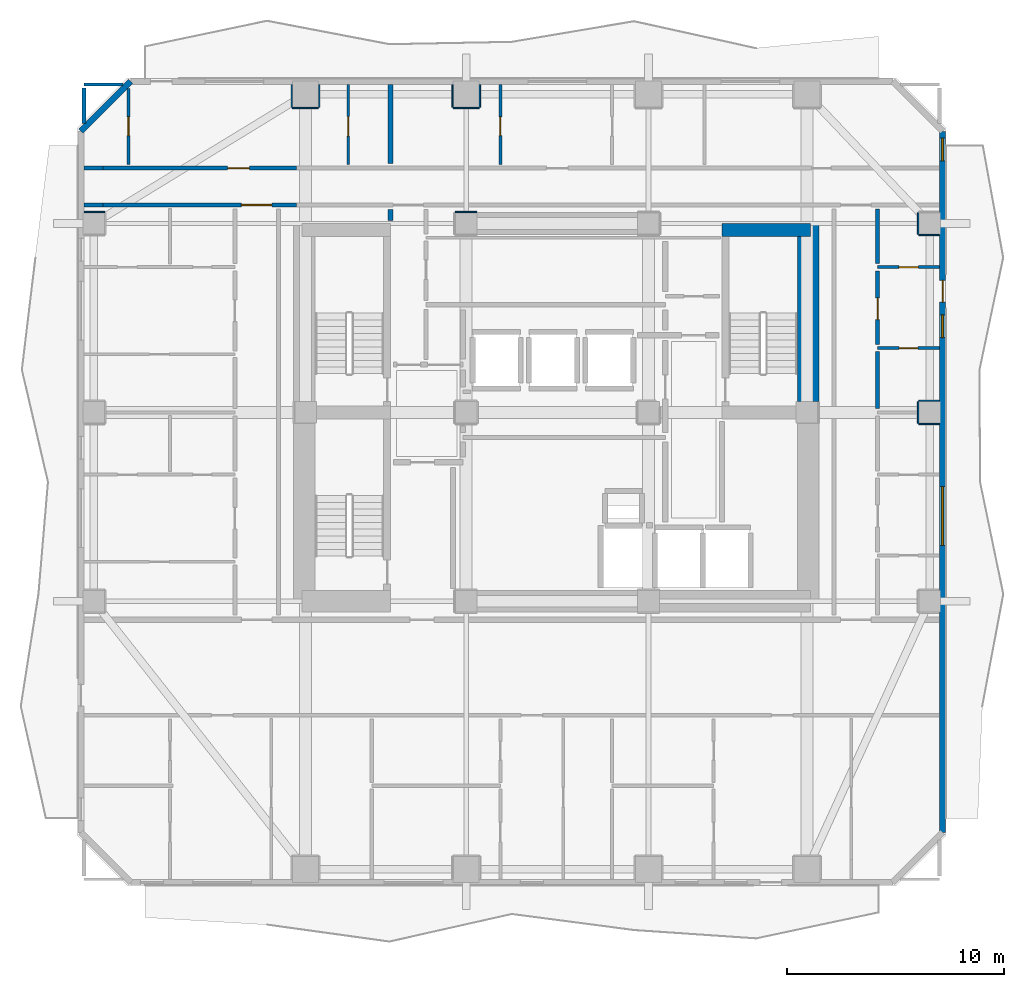
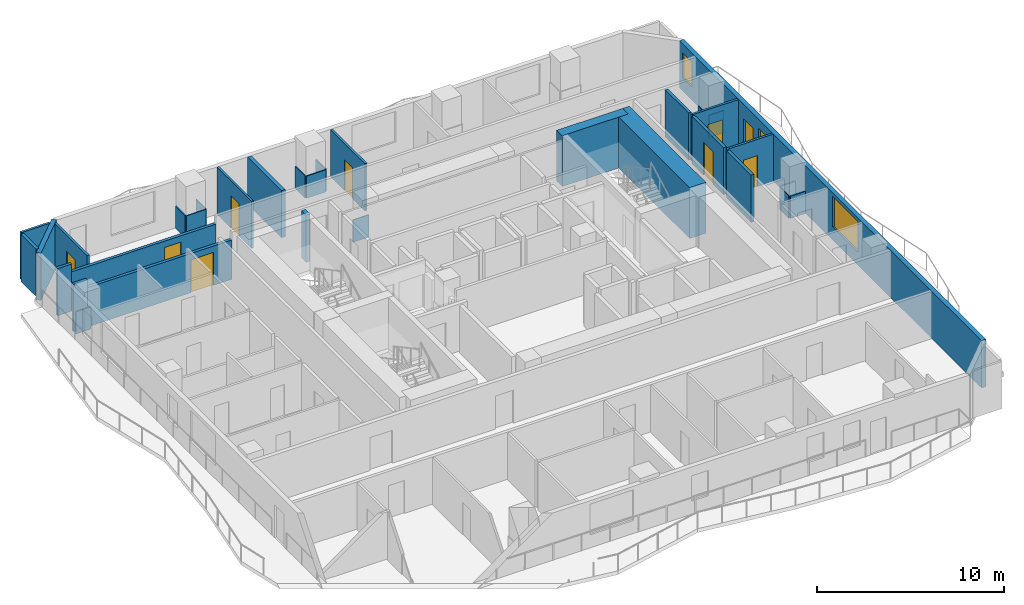
# One storey, part 6 of 11: 33 walls, 9 doors, 3 windows, 12 openings.
"""IFC4 building model written with IfcOpenShell, lengths in metres."""

from ifc_helpers import new_model, si_unit, direction, frame, frame_2d, origin, place, context, subcontext, project, spatial, rectangle, extrude, material, layer, layer_set, type_object, element, fill, save


model = new_model("IFC4")

# Units and contexts
model_context = context("Model", 3, precision=1e-05, world=origin(), true_north=direction((0.0, 1.0)))
body_context = subcontext(model_context, "Body", "Model", "MODEL_VIEW")
ifc_project = project(units=[si_unit("LENGTHUNIT", "METRE"), si_unit("AREAUNIT", "SQUARE_METRE"), si_unit("VOLUMEUNIT", "CUBIC_METRE"), si_unit("PLANEANGLEUNIT", "RADIAN"), si_unit("MASSUNIT", "GRAM", prefix="KILO")], contexts=[model_context])

# Site, building, storey
site_placement = place(None, origin())
site = spatial("IfcSite", under=ifc_project, at=site_placement, CompositionType="ELEMENT")
building_placement = place(site_placement, origin())
building = spatial("IfcBuilding", under=site, at=building_placement, Name="Solanera Arch Residences", CompositionType="ELEMENT")
storey_placement = place(building_placement, frame((0.0, 0.0, 109.39990234375)))
storey = spatial("IfcBuildingStorey", under=building, at=storey_placement, Name="L31", CompositionType="ELEMENT", Elevation=109.39990234375)

# Walls
ifc_material_1 = material(Name="Fire-Rated Gypsum Stud Partition", Category="gypsum")
ifc_layer_1 = layer(ifc_material_1, 0.06005859375)
ifc_layer_set_1 = layer_set([ifc_layer_1], Name="Fire-Rated Gypsum Stud Partition")
wall_type_1 = type_object("IfcWallType", Name="Column Acoustic Furring Wall 60", PredefinedType="PARTITIONING", material=ifc_layer_set_1)
wall_1_placement = place(storey_placement, frame((20.300048828125, 39.931884765625, 0.0), z_axis=(0.0, 0.0, 1.0), x_axis=(1.0, 0.0, 0.0)))
element("IfcWall", 1, at=wall_1_placement, inside=storey, type_object=wall_type_1, Name="L31 Column Furring 3N", PredefinedType="PARTITIONING", context=body_context, shape_type="SweptSolid", body=[
    extrude(rectangle(XDim=1.0, YDim=0.06005859375, at=frame_2d((0.5, 0.0))), origin(), (0.0, 0.0, 1.0), 1.4501953125),
])
wall_2_placement = place(storey_placement, frame((12.800048828125, 44.718017578125, 0.0), z_axis=(0.0, 0.0, 1.0), x_axis=(1.0, 0.0, 0.0)))
element("IfcWall", 2, at=wall_2_placement, inside=storey, type_object=wall_type_1, Name="L31 Column Furring 10S", PredefinedType="PARTITIONING", context=body_context, shape_type="SweptSolid", body=[
    extrude(rectangle(XDim=1.199951171875, YDim=0.06005859375, at=frame_2d((0.60009765625, 0.0))), origin(), (0.0, 0.0, 1.0), 1.4501953125),
])
for number, where, z_axis, x_axis, name in (
    (3, (12.76806640625, 44.75, 0.0), (0.0, 0.0, 1.0), (0.0, 1.0, 0.0), "L31 Column Furring 10W"),
    (4, (14.031982421875, 44.75, 0.0), (0.0, 0.0, 1.0), (0.0, 1.0, 0.0), "L31 Column Furring 10E"),
):
    element("IfcWall", number, at=place(storey_placement, frame(where, z_axis=z_axis, x_axis=x_axis)), inside=storey, type_object=wall_type_1, Name=name, PredefinedType="PARTITIONING", context=body_context, shape_type="SweptSolid", body=[
        extrude(rectangle(XDim=1.0400390625, YDim=0.06005859375, at=frame_2d((0.52001953125, 0.0))), origin(), (0.0, 0.0, 1.0), 1.4501953125),
    ])
wall_3_placement = place(storey_placement, frame((20.199951171875, 44.718017578125, 0.0), z_axis=(0.0, 0.0, 1.0), x_axis=(1.0, 0.0, 0.0)))
element("IfcWall", 5, at=wall_3_placement, inside=storey, type_object=wall_type_1, Name="L31 Column Furring 12S", PredefinedType="PARTITIONING", context=body_context, shape_type="SweptSolid", body=[
    extrude(rectangle(XDim=1.199951171875, YDim=0.06005859375, at=frame_2d((0.60009765625, 0.0))), origin(), (0.0, 0.0, 1.0), 1.4501953125),
])
for number, where, z_axis, x_axis, name in (
    (6, (20.16796875, 44.75, 0.0), (0.0, 0.0, 1.0), (0.0, 1.0, 0.0), "L31 Column Furring 12W"),
    (7, (21.431884765625, 44.75, 0.0), (0.0, 0.0, 1.0), (0.0, 1.0, 0.0), "L31 Column Furring 12E"),
):
    element("IfcWall", number, at=place(storey_placement, frame(where, z_axis=z_axis, x_axis=x_axis)), inside=storey, type_object=wall_type_1, Name=name, PredefinedType="PARTITIONING", context=body_context, shape_type="SweptSolid", body=[
        extrude(rectangle(XDim=1.0400390625, YDim=0.06005859375, at=frame_2d((0.52001953125, 0.0))), origin(), (0.0, 0.0, 1.0), 1.4501953125),
    ])
for number, where, z_axis, x_axis, name in (
    (8, (41.64990234375, 30.16796875, 0.0), (0.0, 0.0, 1.0), (1.0, 0.0, 0.0), "L31 Column Furring 20S"),
    (9, (41.64990234375, 31.23193359375, 0.0), (0.0, 0.0, 1.0), (1.0, 0.0, 0.0), "L31 Column Furring 20N"),
):
    element("IfcWall", number, at=place(storey_placement, frame(where, z_axis=z_axis, x_axis=x_axis)), inside=storey, type_object=wall_type_1, Name=name, PredefinedType="PARTITIONING", context=body_context, shape_type="SweptSolid", body=[
        extrude(rectangle(XDim=0.940185546875, YDim=0.06005859375, at=frame_2d((0.47021484375, 0.0))), origin(), (0.0, 0.0, 1.0), 1.4501953125),
    ])
wall_4_placement = place(storey_placement, frame((41.617919921875, 30.199951171875, 0.0), z_axis=(0.0, 0.0, 1.0), x_axis=(0.0, 1.0, 0.0)))
element("IfcWall", 10, at=wall_4_placement, inside=storey, type_object=wall_type_1, Name="L31 Column Furring 20W", PredefinedType="PARTITIONING", context=body_context, shape_type="SweptSolid", body=[
    extrude(rectangle(XDim=1.0, YDim=0.06005859375, at=frame_2d((0.5, 0.0))), origin(), (0.0, 0.0, 1.0), 1.4501953125),
])
wall_5_placement = place(storey_placement, frame((3.2099609375, 39.931884765625, 0.0), z_axis=(0.0, 0.0, 1.0), x_axis=(1.0, 0.0, 0.0)))
element("IfcWall", 11, at=wall_5_placement, inside=storey, type_object=wall_type_1, Name="L31 Column Furring 21N", PredefinedType="PARTITIONING", context=body_context, shape_type="SweptSolid", body=[
    extrude(rectangle(XDim=0.93994140625, YDim=0.06005859375, at=frame_2d((0.469970703125, 0.0))), origin(), (0.0, 0.0, 1.0), 1.4501953125),
])
wall_6_placement = place(storey_placement, frame((41.64990234375, 38.867919921875, 0.0), z_axis=(0.0, 0.0, 1.0), x_axis=(1.0, 0.0, 0.0)))
element("IfcWall", 12, at=wall_6_placement, inside=storey, type_object=wall_type_1, Name="L31 Column Furring 22S", PredefinedType="PARTITIONING", context=body_context, shape_type="SweptSolid", body=[
    extrude(rectangle(XDim=0.940185546875, YDim=0.06005859375, at=frame_2d((0.47021484375, 0.0))), origin(), (0.0, 0.0, 1.0), 1.4501953125),
])
wall_7_placement = place(storey_placement, frame((41.617919921875, 38.89990234375, 0.0), z_axis=(0.0, 0.0, 1.0), x_axis=(0.0, 1.0, 0.0)))
element("IfcWall", 13, at=wall_7_placement, inside=storey, type_object=wall_type_1, Name="L31 Column Furring 22W", PredefinedType="PARTITIONING", context=body_context, shape_type="SweptSolid", body=[
    extrude(rectangle(XDim=1.0, YDim=0.06005859375, at=frame_2d((0.5, 0.0))), origin(), (0.0, 0.0, 1.0), 1.4501953125),
])
ifc_material_2 = material(Name="Concrete C55/67 (f'c = 60 MPa)", Category="concrete")
ifc_layer_2 = layer(ifc_material_2, 1.0)
ifc_layer_set_2 = layer_set([ifc_layer_2], Name="Concrete C55/67 (f'c = 60 MPa)")
wall_type_2 = type_object("IfcWallType", Name="Core Shear Wall CW-1000", PredefinedType="SHEAR", material=ifc_layer_set_2)
wall_8_placement = place(storey_placement, frame((36.56005859375, 31.205078125, 0.0), z_axis=(0.0, 0.0, 1.0), x_axis=(0.0, 1.0, 0.0)))
element("IfcWall", 14, at=wall_8_placement, inside=storey, type_object=wall_type_2, Name="L31 East Core North Shear Wall", PredefinedType="SHEAR", context=body_context, shape_type="SweptSolid", body=[
    extrude(rectangle(XDim=8.19482421875, YDim=1.0, at=frame_2d((4.097412109375, 0.0))), origin(), (0.0, 0.0, 1.0), 3.320068359375),
])
ifc_material_3 = material(Name="Concrete C40/50 (f'c = 45 MPa)", Category="concrete")
ifc_layer_3 = layer(ifc_material_3, 0.60009765625)
ifc_layer_set_3 = layer_set([ifc_layer_3], Name="Concrete C40/50 (f'c = 45 MPa)")
wall_type_3 = type_object("IfcWallType", Name="Core Shear Wall CW-600", PredefinedType="SHEAR", material=ifc_layer_set_3)
wall_9_placement = place(storey_placement, frame((32.580078125, 39.10009765625, 0.0), z_axis=(0.0, 0.0, 1.0), x_axis=(1.0, 0.0, 0.0)))
element("IfcWall", 15, at=wall_9_placement, inside=storey, type_object=wall_type_3, Name="L31 North-East Core Shear Wall", PredefinedType="SHEAR", context=body_context, shape_type="SweptSolid", body=[
    extrude(rectangle(XDim=4.079833984375, YDim=0.60009765625, at=frame_2d((2.0400390625, 0.0))), origin(), (0.0, 0.0, 1.0), 3.320068359375),
])
ifc_material_4 = material(Name="Autoclaved Aerated Concrete Blockwork", Category="masonry")
ifc_layer_4 = layer(ifc_material_4, 0.179931640625)
ifc_layer_set_4 = layer_set([ifc_layer_4], Name="Autoclaved Aerated Concrete Blockwork")
wall_type_4 = type_object("IfcWallType", Name="Corridor Fire Partition 180", PredefinedType="PARTITIONING", material=ifc_layer_set_4)
wall_10_placement = place(storey_placement, frame((3.20703125, 40.25, 0.0), z_axis=(0.0, 0.0, 1.0), x_axis=(1.0, 0.0, 0.0)))
element("IfcWall", 16, at=wall_10_placement, inside=storey, type_object=wall_type_4, Name="L31 Interior Partition H11 1", PredefinedType="PARTITIONING", context=body_context, shape_type="SweptSolid", body=[
    extrude(rectangle(XDim=0.864013671875, YDim=0.179931640625, at=frame_2d((0.43212890625, 0.0))), origin(), (0.0, 0.0, 1.0), 3.080078125),
])

# Wall, opening, door
wall_11_placement = place(storey_placement, frame((4.071044921875, 40.25, 0.0), z_axis=(0.0, 0.0, 1.0), x_axis=(1.0, 0.0, 0.0)))
wall_11 = element("IfcWall", 17, at=wall_11_placement, inside=storey, type_object=wall_type_4, Name="L31 Interior Partition H11 2", PredefinedType="PARTITIONING", context=body_context, shape_type="SweptSolid", body=[
    extrude(rectangle(XDim=8.907958984375, YDim=0.179931640625, at=frame_2d((4.4541015625, 0.0))), origin(), (0.0, 0.0, 1.0), 2.565185546875),
])
opening_1_placement = place(wall_11_placement, frame((6.37890625, 0.0, 0.0)))
opening_1 = element("IfcOpeningElement", 18, at=opening_1_placement, cuts=wall_11, Name="Opening DF-03", PredefinedType="OPENING", context=body_context, shape_type="SweptSolid", body=[
    extrude(rectangle(XDim=1.39990234375, YDim=2.14990234375, at=frame_2d((0.699951171875, 1.074951171875))), frame((0.0, 0.10009765625, 0.0), z_axis=(0.0, -1.0, 0.0), x_axis=(1.0, 0.0, 0.0)), (0.0, 0.0, 1.0), 0.1999),
])
ifc_material_5 = material(Name="Fire-Rated Architectural Hardwood", Category="wood")
door_type_1 = type_object("IfcDoorType", Name="Corridor Smoke Door DF-03", OperationType="NOTDEFINED", PredefinedType="DOOR", material=ifc_material_5)
door_1_placement = place(opening_1_placement, origin())
door_1 = element("IfcDoor", 19, at=door_1_placement, inside=storey, type_object=door_type_1, Name="DR-L31-IN-012", OperationType="SINGLE_SWING_RIGHT", OverallHeight=2.14990234375, OverallWidth=1.39990234375, PredefinedType="DOOR", context=body_context, shape_type="SweptSolid", body=[
    extrude(rectangle(XDim=1.39990234375, YDim=2.14990234375, at=frame_2d((0.699951171875, 1.074951171875))), frame((0.0, 0.02490234375, 0.0), z_axis=(0.0, -1.0, 0.0), x_axis=(1.0, 0.0, 0.0)), (0.0, 0.0, 1.0), 0.050048828125),
])
fill(opening_1, door_1)

# Wall
wall_12_placement = place(storey_placement, frame((3.20703125, 41.949951171875, 0.0), z_axis=(0.0, 0.0, 1.0), x_axis=(1.0, 0.0, 0.0)))
element("IfcWall", 20, at=wall_12_placement, inside=storey, type_object=wall_type_4, Name="L31 Interior Partition H12 1", PredefinedType="PARTITIONING", context=body_context, shape_type="SweptSolid", body=[
    extrude(rectangle(XDim=0.864013671875, YDim=0.179931640625, at=frame_2d((0.43212890625, 0.0))), origin(), (0.0, 0.0, 1.0), 3.080078125),
])

# Wall, opening, door
wall_13_placement = place(storey_placement, frame((4.071044921875, 41.949951171875, 0.0), z_axis=(0.0, 0.0, 1.0), x_axis=(1.0, 0.0, 0.0)))
wall_13 = element("IfcWall", 21, at=wall_13_placement, inside=storey, type_object=wall_type_4, Name="L31 Interior Partition H12 2", PredefinedType="PARTITIONING", context=body_context, shape_type="SweptSolid", body=[
    extrude(rectangle(XDim=8.907958984375, YDim=0.179931640625, at=frame_2d((4.4541015625, 0.0))), origin(), (0.0, 0.0, 1.0), 2.565185546875),
])
opening_2_placement = place(wall_13_placement, frame((5.741943359375, 0.0, 0.0)))
opening_2 = element("IfcOpeningElement", 22, at=opening_2_placement, cuts=wall_13, Name="Opening DI-01", PredefinedType="OPENING", context=body_context, shape_type="SweptSolid", body=[
    extrude(rectangle(XDim=1.0, YDim=2.14990234375, at=frame_2d((0.5, 1.074951171875))), frame((0.0, 0.10009765625, 0.0), z_axis=(0.0, -1.0, 0.0), x_axis=(1.0, 0.0, 0.0)), (0.0, 0.0, 1.0), 0.1999),
])
ifc_material_6 = material(Name="Fire-Rated Architectural Hardwood", Category="wood")
door_type_2 = type_object("IfcDoorType", Name="Unit Entrance Fire Door DI-01", OperationType="NOTDEFINED", PredefinedType="DOOR", material=ifc_material_6)
door_2_placement = place(opening_2_placement, origin())
door_2 = element("IfcDoor", 23, at=door_2_placement, inside=storey, type_object=door_type_2, Name="DR-L31-IN-029", OperationType="SINGLE_SWING_LEFT", OverallHeight=2.14990234375, OverallWidth=1.0, PredefinedType="DOOR", context=body_context, shape_type="SweptSolid", body=[
    extrude(rectangle(XDim=1.0, YDim=2.14990234375, at=frame_2d((0.5, 1.074951171875))), frame((0.0, 0.02490234375, 0.0), z_axis=(0.0, -1.0, 0.0), x_axis=(1.0, 0.0, 0.0)), (0.0, 0.0, 1.0), 0.050048828125),
])
fill(opening_2, door_2)

# Walls
wall_14_placement = place(storey_placement, frame((3.199951171875, 44.0048828125, 0.0), z_axis=(0.0, 0.0, 1.0), x_axis=(0.0, 1.0, 0.0)))
element("IfcWall", 24, at=wall_14_placement, inside=storey, type_object=wall_type_4, Name="L31 Interior Partition V8 2", PredefinedType="PARTITIONING", context=body_context, shape_type="SweptSolid", body=[
    extrude(rectangle(XDim=1.627197265625, YDim=0.179931640625, at=frame_2d((0.8134765625, 0.0))), origin(), (0.0, 0.0, 1.0), 3.080078125),
])
wall_15_placement = place(storey_placement, frame((39.75, 30.867919921875, 0.0), z_axis=(0.0, 0.0, 1.0), x_axis=(0.0, 1.0, 0.0)))
element("IfcWall", 25, at=wall_15_placement, inside=storey, type_object=wall_type_4, Name="L31 Interior Partition V13 4", PredefinedType="PARTITIONING", context=body_context, shape_type="SweptSolid", body=[
    extrude(rectangle(XDim=2.6259765625, YDim=0.179931640625, at=frame_2d((1.31298828125, 0.0))), origin(), (0.0, 0.0, 1.0), 3.080078125),
])

# Wall, opening, door
wall_16_placement = place(storey_placement, frame((39.75, 33.830078125, 0.0), z_axis=(0.0, 0.0, 1.0), x_axis=(0.0, 1.0, 0.0)))
wall_16 = element("IfcWall", 26, at=wall_16_placement, inside=storey, type_object=wall_type_4, Name="L31 Interior Partition V13 5", PredefinedType="PARTITIONING", context=body_context, shape_type="SweptSolid", body=[
    extrude(rectangle(XDim=3.386962890625, YDim=0.179931640625, at=frame_2d((1.693359375, 0.0))), origin(), (0.0, 0.0, 1.0), 3.080078125),
])
opening_3_placement = place(wall_16_placement, frame((1.14501953125, 0.0, 0.0)))
opening_3 = element("IfcOpeningElement", 27, at=opening_3_placement, cuts=wall_16, Name="Opening DI-01", PredefinedType="OPENING", context=body_context, shape_type="SweptSolid", body=[
    extrude(rectangle(XDim=1.0, YDim=2.14990234375, at=frame_2d((0.5, 1.074951171875))), frame((0.0, 0.10009765625, 0.0), z_axis=(0.0, -1.0, 0.0), x_axis=(1.0, 0.0, 0.0)), (0.0, 0.0, 1.0), 0.1999),
])
door_3_placement = place(opening_3_placement, origin())
door_3 = element("IfcDoor", 28, at=door_3_placement, inside=storey, type_object=door_type_2, Name="DR-L31-IN-047", OperationType="SINGLE_SWING_LEFT", OverallHeight=2.14990234375, OverallWidth=1.0, PredefinedType="DOOR", context=body_context, shape_type="SweptSolid", body=[
    extrude(rectangle(XDim=1.0, YDim=2.14990234375, at=frame_2d((0.5, 1.074951171875))), frame((0.0, 0.02490234375, 0.0), z_axis=(0.0, -1.0, 0.0), x_axis=(1.0, 0.0, 0.0)), (0.0, 0.0, 1.0), 0.050048828125),
])
fill(opening_3, door_3)

# Walls
wall_17_placement = place(storey_placement, frame((39.75, 37.552978515625, 0.0), z_axis=(0.0, 0.0, 1.0), x_axis=(0.0, 1.0, 0.0)))
element("IfcWall", 29, at=wall_17_placement, inside=storey, type_object=wall_type_4, Name="L31 Interior Partition V13 6", PredefinedType="PARTITIONING", context=body_context, shape_type="SweptSolid", body=[
    extrude(rectangle(XDim=2.509033203125, YDim=0.179931640625, at=frame_2d((1.25439453125, 0.0))), origin(), (0.0, 0.0, 1.0), 3.080078125),
])
ifc_material_7 = material(Name="Precast Concrete C35/45", Category="concrete")
ifc_layer_5 = layer(ifc_material_7, 0.280029296875)
ifc_layer_set_5 = layer_set([ifc_layer_5], Name="Precast Concrete C35/45")
wall_type_5 = type_object("IfcWallType", Name="Exterior Wall Precast Masonry-Frame 280", PredefinedType="STANDARD", material=ifc_layer_set_5)
wall_18_placement = place(storey_placement, frame((3.054931640625, 43.64501953125, 0.0), z_axis=(0.0, 0.0, 1.0), x_axis=(0.707106781187, 0.707106781187, 0.0)))
element("IfcWall", 30, at=wall_18_placement, inside=storey, type_object=wall_type_5, Name="L31 Tower Exterior Precast Masonry-Frame Wall CH1", PredefinedType="STANDARD", context=body_context, shape_type="SweptSolid", body=[
    extrude(rectangle(XDim=3.252685546875, YDim=0.280029296875, at=frame_2d((1.62646484375, 0.0))), origin(), (0.0, 0.0, 1.0), 3.080078125),
])

# Wall, openings, door, windows
wall_19_placement = place(storey_placement, frame((42.7451171875, 43.64501953125, 0.0), z_axis=(0.0, 0.0, 1.0), x_axis=(0.0, -1.0, 0.0)))
wall_19 = element("IfcWall", 31, at=wall_19_placement, inside=storey, type_object=wall_type_5, Name="L31 Tower Exterior Precast Masonry-Frame Wall E", PredefinedType="STANDARD", context=body_context, shape_type="SweptSolid", body=[
    extrude(rectangle(XDim=32.2900390625, YDim=0.280029296875, at=frame_2d((16.14501953125, 0.0))), origin(), (0.0, 0.0, 1.0), 3.080078125),
])
opening_4_placement = place(wall_19_placement, frame((6.87109375, 0.0, 0.0)))
opening_4 = element("IfcOpeningElement", 32, at=opening_4_placement, cuts=wall_19, Name="Opening DB-01", PredefinedType="OPENING", context=body_context, shape_type="SweptSolid", body=[
    extrude(rectangle(XDim=1.0, YDim=2.14990234375, at=frame_2d((0.5, 1.074951171875))), frame((0.0, 0.14990234375, 0.0), z_axis=(0.0, -1.0, 0.0), x_axis=(1.0, 0.0, 0.0)), (0.0, 0.0, 1.0), 0.3),
])
opening_5_placement = place(wall_19_placement, frame((0.318115234375, 0.0, 0.85009765625)))
opening_5 = element("IfcOpeningElement", 33, at=opening_5_placement, cuts=wall_19, Name="Opening W-07", PredefinedType="OPENING", context=body_context, shape_type="SweptSolid", body=[
    extrude(rectangle(XDim=1.050048828125, YDim=1.64990234375, at=frame_2d((0.52490234375, 0.824951171875))), frame((0.0, 0.14990234375, 0.0), z_axis=(0.0, -1.0, 0.0), x_axis=(1.0, 0.0, 0.0)), (0.0, 0.0, 1.0), 0.3),
])
opening_6_placement = place(wall_19_placement, frame((16.3701171875, 0.0, 0.85009765625)))
opening_6 = element("IfcOpeningElement", 34, at=opening_6_placement, cuts=wall_19, Name="Opening W-09", PredefinedType="OPENING", context=body_context, shape_type="SweptSolid", body=[
    extrude(rectangle(XDim=2.699951171875, YDim=2.0, at=frame_2d((1.35009765625, 1.0))), frame((0.0, 0.14990234375, 0.0), z_axis=(0.0, -1.0, 0.0), x_axis=(1.0, 0.0, 0.0)), (0.0, 0.0, 1.0), 0.3),
])
opening_7_placement = place(wall_19_placement, frame((8.451904296875, 0.0, 0.85009765625)))
opening_7 = element("IfcOpeningElement", 35, at=opening_7_placement, cuts=wall_19, Name="Opening W-07", PredefinedType="OPENING", context=body_context, shape_type="SweptSolid", body=[
    extrude(rectangle(XDim=1.050048828125, YDim=1.64990234375, at=frame_2d((0.52490234375, 0.824951171875))), frame((0.0, 0.14990234375, 0.0), z_axis=(0.0, -1.0, 0.0), x_axis=(1.0, 0.0, 0.0)), (0.0, 0.0, 1.0), 0.3),
])
ifc_material_8 = material(Name="Anodised Aluminium Alloy 6063-T6", Category="aluminium")
door_type_3 = type_object("IfcDoorType", Name="Glazed Balcony Swing Door DB-01", OperationType="NOTDEFINED", PredefinedType="DOOR", material=ifc_material_8)
door_4_placement = place(opening_4_placement, origin())
door_4 = element("IfcDoor", 36, at=door_4_placement, inside=storey, type_object=door_type_3, Name="DR-L31-OUT-03", OperationType="SINGLE_SWING_LEFT", OverallHeight=2.14990234375, OverallWidth=1.0, PredefinedType="DOOR", context=body_context, shape_type="SweptSolid", body=[
    extrude(rectangle(XDim=1.0, YDim=2.14990234375, at=frame_2d((0.5, 1.074951171875))), frame((0.0, 0.02490234375, 0.0), z_axis=(0.0, -1.0, 0.0), x_axis=(1.0, 0.0, 0.0)), (0.0, 0.0, 1.0), 0.050048828125),
])
fill(opening_4, door_4)
ifc_material_9 = material(Name="Double Glazed Low-E Laminated Glass", Category="glass")
window_type_1 = type_object("IfcWindowType", Name="Punched Window W-07", PartitioningType="SINGLE_PANEL", PredefinedType="WINDOW", material=ifc_material_9)
window_1_placement = place(opening_5_placement, origin())
window_1 = element("IfcWindow", 37, at=window_1_placement, inside=storey, type_object=window_type_1, Name="L31 AMN-OFF Punched Window", OverallHeight=1.64990234375, OverallWidth=1.050048828125, PartitioningType="SINGLE_PANEL", PredefinedType="WINDOW", context=body_context, shape_type="SweptSolid", body=[
    extrude(rectangle(XDim=1.050048828125, YDim=1.64990234375, at=frame_2d((0.52490234375, 0.824951171875))), frame((0.0, 0.030029296875, 0.0), z_axis=(0.0, -1.0, 0.0), x_axis=(1.0, 0.0, 0.0)), (0.0, 0.0, 1.0), 0.06005859375),
])
fill(opening_5, window_1)
window_2_placement = place(opening_7_placement, origin())
window_2 = element("IfcWindow", 38, at=window_2_placement, inside=storey, type_object=window_type_1, Name="L31 3109-LIV Punched Window", OverallHeight=1.64990234375, OverallWidth=1.050048828125, PartitioningType="SINGLE_PANEL", PredefinedType="WINDOW", context=body_context, shape_type="SweptSolid", body=[
    extrude(rectangle(XDim=1.050048828125, YDim=1.64990234375, at=frame_2d((0.52490234375, 0.824951171875))), frame((0.0, 0.030029296875, 0.0), z_axis=(0.0, -1.0, 0.0), x_axis=(1.0, 0.0, 0.0)), (0.0, 0.0, 1.0), 0.06005859375),
])
fill(opening_7, window_2)
ifc_material_10 = material(Name="Double Glazed Low-E Laminated Glass", Category="glass")
window_type_2 = type_object("IfcWindowType", Name="Punched Window W-09", PartitioningType="TRIPLE_PANEL_VERTICAL", PredefinedType="WINDOW", material=ifc_material_10)
window_3_placement = place(opening_6_placement, origin())
window_3 = element("IfcWindow", 39, at=window_3_placement, inside=storey, type_object=window_type_2, Name="L31 3108-LIV Punched Window", OverallHeight=2.0, OverallWidth=2.699951171875, PartitioningType="SINGLE_PANEL", PredefinedType="WINDOW", context=body_context, shape_type="SweptSolid", body=[
    extrude(rectangle(XDim=2.699951171875, YDim=2.0, at=frame_2d((1.35009765625, 1.0))), frame((0.0, 0.030029296875, 0.0), z_axis=(0.0, -1.0, 0.0), x_axis=(1.0, 0.0, 0.0)), (0.0, 0.0, 1.0), 0.06005859375),
])
fill(opening_6, window_3)

# Walls
ifc_material_11 = material(Name="Autoclaved Aerated Concrete Blockwork", Category="masonry")
ifc_layer_6 = layer(ifc_material_11, 0.239990234375)
ifc_layer_set_6 = layer_set([ifc_layer_6], Name="Autoclaved Aerated Concrete Blockwork")
wall_type_6 = type_object("IfcWallType", Name="Shaft Wall Fire-Rated 240", PredefinedType="PARTITIONING", material=ifc_layer_set_6)
wall_20_placement = place(storey_placement, frame((17.320068359375, 39.530029296875, 0.0), z_axis=(0.0, 0.0, 1.0), x_axis=(0.0, 1.0, 0.0)))
element("IfcWall", 40, at=wall_20_placement, inside=storey, type_object=wall_type_6, Name="L31 Interior Partition V1", PredefinedType="PARTITIONING", context=body_context, shape_type="SweptSolid", body=[
    extrude(rectangle(XDim=0.501953125, YDim=0.239990234375, at=frame_2d((0.2509765625, 0.0))), origin(), (0.0, 0.0, 1.0), 3.080078125),
])
wall_21_placement = place(storey_placement, frame((17.320068359375, 42.16796875, 0.0), z_axis=(0.0, 0.0, 1.0), x_axis=(0.0, 1.0, 0.0)))
element("IfcWall", 41, at=wall_21_placement, inside=storey, type_object=wall_type_6, Name="L31 Interior Partition V2", PredefinedType="PARTITIONING", context=body_context, shape_type="SweptSolid", body=[
    extrude(rectangle(XDim=3.625, YDim=0.239990234375, at=frame_2d((1.8125, 0.0))), origin(), (0.0, 0.0, 1.0), 3.080078125),
])

# Wall, opening, door
ifc_material_12 = material(Name="Fire-Rated Gypsum Stud Partition", Category="gypsum")
ifc_layer_7 = layer(ifc_material_12, 0.1201171875)
ifc_layer_set_7 = layer_set([ifc_layer_7], Name="Fire-Rated Gypsum Stud Partition")
wall_type_7 = type_object("IfcWallType", Name="Unit Drywall Partition 120", PredefinedType="PARTITIONING", material=ifc_layer_set_7)
wall_22_placement = place(storey_placement, frame((15.3759765625, 42.10791015625, 0.0), z_axis=(0.0, 0.0, 1.0), x_axis=(0.0, 1.0, 0.0)))
wall_22 = element("IfcWall", 42, at=wall_22_placement, inside=storey, type_object=wall_type_7, Name="L31 Interior Partition V26", PredefinedType="PARTITIONING", context=body_context, shape_type="SweptSolid", body=[
    extrude(rectangle(XDim=3.68505859375, YDim=0.1201171875, at=frame_2d((1.842529296875, 0.0))), origin(), (0.0, 0.0, 1.0), 3.080078125),
])
opening_8_placement = place(wall_22_placement, frame((1.31689453125, 0.0, 0.0)))
opening_8 = element("IfcOpeningElement", 43, at=opening_8_placement, cuts=wall_22, Name="Opening DI-02", PredefinedType="OPENING", context=body_context, shape_type="SweptSolid", body=[
    extrude(rectangle(XDim=0.89990234375, YDim=2.10009765625, at=frame_2d((0.449951171875, 1.050048828125))), frame((0.0, 0.070068359375, 0.0), z_axis=(0.0, -1.0, 0.0), x_axis=(1.0, 0.0, 0.0)), (0.0, 0.0, 1.0), 0.1401),
])
ifc_material_13 = material(Name="Fire-Rated Architectural Hardwood", Category="wood")
door_type_4 = type_object("IfcDoorType", Name="Suite Room Swing Door DI-02", OperationType="NOTDEFINED", PredefinedType="DOOR", material=ifc_material_13)
door_5_placement = place(opening_8_placement, origin())
door_5 = element("IfcDoor", 44, at=door_5_placement, inside=storey, type_object=door_type_4, Name="DR-L31-IN-031", OperationType="SINGLE_SWING_LEFT", OverallHeight=2.10009765625, OverallWidth=0.89990234375, PredefinedType="DOOR", context=body_context, shape_type="SweptSolid", body=[
    extrude(rectangle(XDim=0.89990234375, YDim=2.10009765625, at=frame_2d((0.449951171875, 1.050048828125))), frame((0.0, 0.02490234375, 0.0), z_axis=(0.0, -1.0, 0.0), x_axis=(1.0, 0.0, 0.0)), (0.0, 0.0, 1.0), 0.050048828125),
])
fill(opening_8, door_5)

ifc_material_14 = material(Name="Autoclaved Aerated Concrete Blockwork", Category="masonry")
ifc_layer_8 = layer(ifc_material_14, 0.139892578125)
ifc_layer_set_8 = layer_set([ifc_layer_8], Name="Autoclaved Aerated Concrete Blockwork")
wall_type_8 = type_object("IfcWallType", Name="Wet-Room Partition 140", PredefinedType="PARTITIONING", material=ifc_layer_set_8)
wall_23_placement = place(storey_placement, frame((39.75, 33.662109375, 0.0), z_axis=(0.0, 0.0, 1.0), x_axis=(1.0, 0.0, 0.0)))
wall_23 = element("IfcWall", 45, at=wall_23_placement, inside=storey, type_object=wall_type_8, Name="L31 Interior Partition H21", PredefinedType="PARTITIONING", context=body_context, shape_type="SweptSolid", body=[
    extrude(rectangle(XDim=2.843017578125, YDim=0.139892578125, at=frame_2d((1.42138671875, 0.0))), origin(), (0.0, 0.0, 1.0), 3.080078125),
])
opening_9_placement = place(wall_23_placement, frame((0.9951171875, 0.0, 0.0)))
opening_9 = element("IfcOpeningElement", 46, at=opening_9_placement, cuts=wall_23, Name="Opening DI-05", PredefinedType="OPENING", context=body_context, shape_type="SweptSolid", body=[
    extrude(rectangle(XDim=0.860107421875, YDim=2.02001953125, at=frame_2d((0.43017578125, 1.010009765625))), frame((0.0, 0.079833984375, 0.0), z_axis=(0.0, -1.0, 0.0), x_axis=(1.0, 0.0, 0.0)), (0.0, 0.0, 1.0), 0.1599),
])
ifc_material_15 = material(Name="Fire-Rated Architectural Hardwood", Category="wood")
door_type_5 = type_object("IfcDoorType", Name="Bathroom Swing Door DI-05", OperationType="NOTDEFINED", PredefinedType="DOOR", material=ifc_material_15)
door_6_placement = place(opening_9_placement, origin())
door_6 = element("IfcDoor", 47, at=door_6_placement, inside=storey, type_object=door_type_5, Name="DR-L31-IN-048", OperationType="SINGLE_SWING_RIGHT", OverallHeight=2.02001953125, OverallWidth=0.860107421875, PredefinedType="DOOR", context=body_context, shape_type="SweptSolid", body=[
    extrude(rectangle(XDim=0.860107421875, YDim=2.02001953125, at=frame_2d((0.43017578125, 1.010009765625))), frame((0.0, 0.02490234375, 0.0), z_axis=(0.0, -1.0, 0.0), x_axis=(1.0, 0.0, 0.0)), (0.0, 0.0, 1.0), 0.050048828125),
])
fill(opening_9, door_6)

wall_24_placement = place(storey_placement, frame((39.75, 37.385009765625, 0.0), z_axis=(0.0, 0.0, 1.0), x_axis=(1.0, 0.0, 0.0)))
wall_24 = element("IfcWall", 48, at=wall_24_placement, inside=storey, type_object=wall_type_8, Name="L31 Interior Partition H23", PredefinedType="PARTITIONING", context=body_context, shape_type="SweptSolid", body=[
    extrude(rectangle(XDim=2.843017578125, YDim=0.139892578125, at=frame_2d((1.42138671875, 0.0))), origin(), (0.0, 0.0, 1.0), 3.080078125),
])
opening_10_placement = place(wall_24_placement, frame((0.97509765625, 0.0, 0.0)))
opening_10 = element("IfcOpeningElement", 49, at=opening_10_placement, cuts=wall_24, Name="Opening DI-02", PredefinedType="OPENING", context=body_context, shape_type="SweptSolid", body=[
    extrude(rectangle(XDim=0.89990234375, YDim=2.10009765625, at=frame_2d((0.449951171875, 1.050048828125))), frame((0.0, 0.079833984375, 0.0), z_axis=(0.0, -1.0, 0.0), x_axis=(1.0, 0.0, 0.0)), (0.0, 0.0, 1.0), 0.1599),
])
door_7_placement = place(opening_10_placement, origin())
door_7 = element("IfcDoor", 50, at=door_7_placement, inside=storey, type_object=door_type_4, Name="DR-L31-IN-049", OperationType="SINGLE_SWING_LEFT", OverallHeight=2.10009765625, OverallWidth=0.89990234375, PredefinedType="DOOR", context=body_context, shape_type="SweptSolid", body=[
    extrude(rectangle(XDim=0.89990234375, YDim=2.10009765625, at=frame_2d((0.449951171875, 1.050048828125))), frame((0.0, 0.02490234375, 0.0), z_axis=(0.0, -1.0, 0.0), x_axis=(1.0, 0.0, 0.0)), (0.0, 0.0, 1.0), 0.050048828125),
])
fill(opening_10, door_7)

# Wall
wall_25_placement = place(storey_placement, frame((3.199951171875, 45.800048828125, 0.0), z_axis=(0.0, 0.0, 1.0), x_axis=(1.0, 0.0, 0.0)))
element("IfcWall", 51, at=wall_25_placement, inside=storey, type_object=wall_type_8, Name="L31 Interior Partition H24 1", PredefinedType="PARTITIONING", context=body_context, shape_type="SweptSolid", body=[
    extrude(rectangle(XDim=1.795166015625, YDim=0.139892578125, at=frame_2d((0.8974609375, 0.0))), origin(), (0.0, 0.0, 1.0), 3.080078125),
])

# Wall, opening, door
wall_26_placement = place(storey_placement, frame((5.25, 42.117919921875, 0.0), z_axis=(0.0, 0.0, 1.0), x_axis=(0.0, 1.0, 0.0)))
wall_26 = element("IfcWall", 52, at=wall_26_placement, inside=storey, type_object=wall_type_8, Name="L31 Interior Partition V15", PredefinedType="PARTITIONING", context=body_context, shape_type="SweptSolid", body=[
    extrude(rectangle(XDim=3.507080078125, YDim=0.139892578125, at=frame_2d((1.75341796875, 0.0))), origin(), (0.0, 0.0, 1.0), 3.080078125),
])
opening_11_placement = place(wall_26_placement, frame((1.326904296875, 0.0, 0.0)))
opening_11 = element("IfcOpeningElement", 53, at=opening_11_placement, cuts=wall_26, Name="Opening DI-05", PredefinedType="OPENING", context=body_context, shape_type="SweptSolid", body=[
    extrude(rectangle(XDim=0.860107421875, YDim=2.02001953125, at=frame_2d((0.43017578125, 1.010009765625))), frame((0.0, 0.079833984375, 0.0), z_axis=(0.0, -1.0, 0.0), x_axis=(1.0, 0.0, 0.0)), (0.0, 0.0, 1.0), 0.1599),
])
door_8_placement = place(opening_11_placement, origin())
door_8 = element("IfcDoor", 54, at=door_8_placement, inside=storey, type_object=door_type_5, Name="DR-L31-IN-030", OperationType="SINGLE_SWING_RIGHT", OverallHeight=2.02001953125, OverallWidth=0.860107421875, PredefinedType="DOOR", context=body_context, shape_type="SweptSolid", body=[
    extrude(rectangle(XDim=0.860107421875, YDim=2.02001953125, at=frame_2d((0.43017578125, 1.010009765625))), frame((0.0, 0.02490234375, 0.0), z_axis=(0.0, -1.0, 0.0), x_axis=(1.0, 0.0, 0.0)), (0.0, 0.0, 1.0), 0.050048828125),
])
fill(opening_11, door_8)

wall_27_placement = place(storey_placement, frame((22.3798828125, 42.117919921875, 0.0), z_axis=(0.0, 0.0, 1.0), x_axis=(0.0, 1.0, 0.0)))
wall_27 = element("IfcWall", 55, at=wall_27_placement, inside=storey, type_object=wall_type_8, Name="L31 Interior Partition V21", PredefinedType="PARTITIONING", context=body_context, shape_type="SweptSolid", body=[
    extrude(rectangle(XDim=3.675048828125, YDim=0.139892578125, at=frame_2d((1.83740234375, 0.0))), origin(), (0.0, 0.0, 1.0), 3.080078125),
])
opening_12_placement = place(wall_27_placement, frame((1.326904296875, 0.0, 0.0)))
opening_12 = element("IfcOpeningElement", 56, at=opening_12_placement, cuts=wall_27, Name="Opening DI-05", PredefinedType="OPENING", context=body_context, shape_type="SweptSolid", body=[
    extrude(rectangle(XDim=0.860107421875, YDim=2.02001953125, at=frame_2d((0.43017578125, 1.010009765625))), frame((0.0, 0.079833984375, 0.0), z_axis=(0.0, -1.0, 0.0), x_axis=(1.0, 0.0, 0.0)), (0.0, 0.0, 1.0), 0.1599),
])
door_9_placement = place(opening_12_placement, origin())
door_9 = element("IfcDoor", 57, at=door_9_placement, inside=storey, type_object=door_type_5, Name="DR-L31-IN-033", OperationType="SINGLE_SWING_LEFT", OverallHeight=2.02001953125, OverallWidth=0.860107421875, PredefinedType="DOOR", context=body_context, shape_type="SweptSolid", body=[
    extrude(rectangle(XDim=0.860107421875, YDim=2.02001953125, at=frame_2d((0.43017578125, 1.010009765625))), frame((0.0, 0.02490234375, 0.0), z_axis=(0.0, -1.0, 0.0), x_axis=(1.0, 0.0, 0.0)), (0.0, 0.0, 1.0), 0.050048828125),
])
fill(opening_12, door_9)

save(model, "model.ifc")
